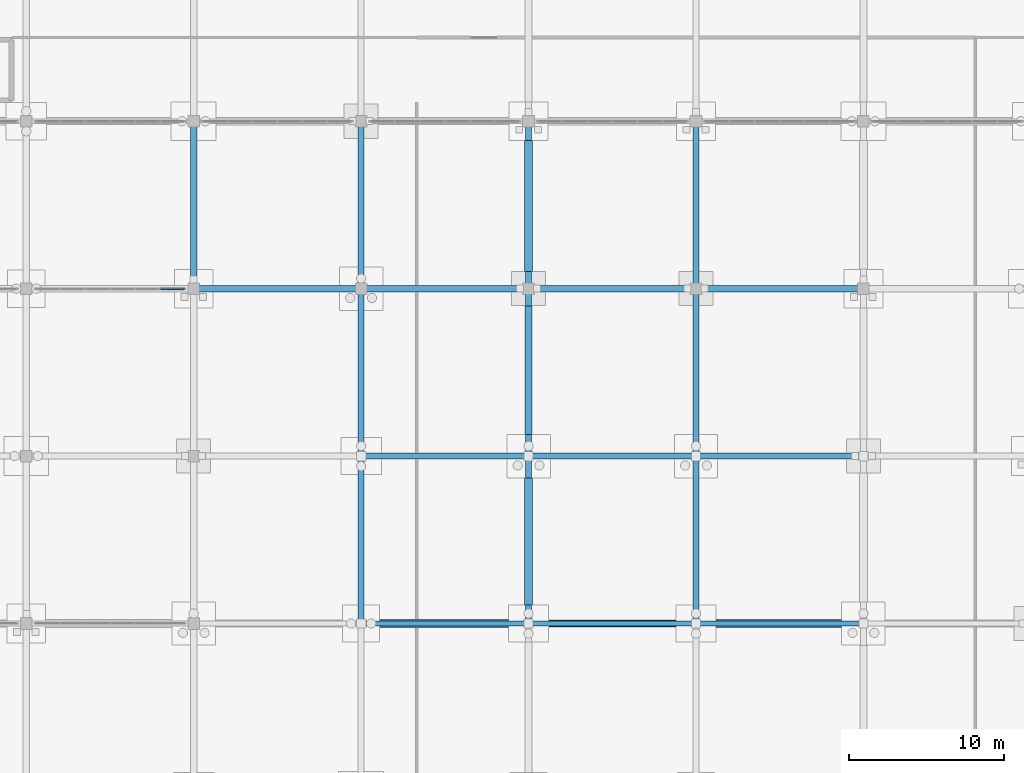
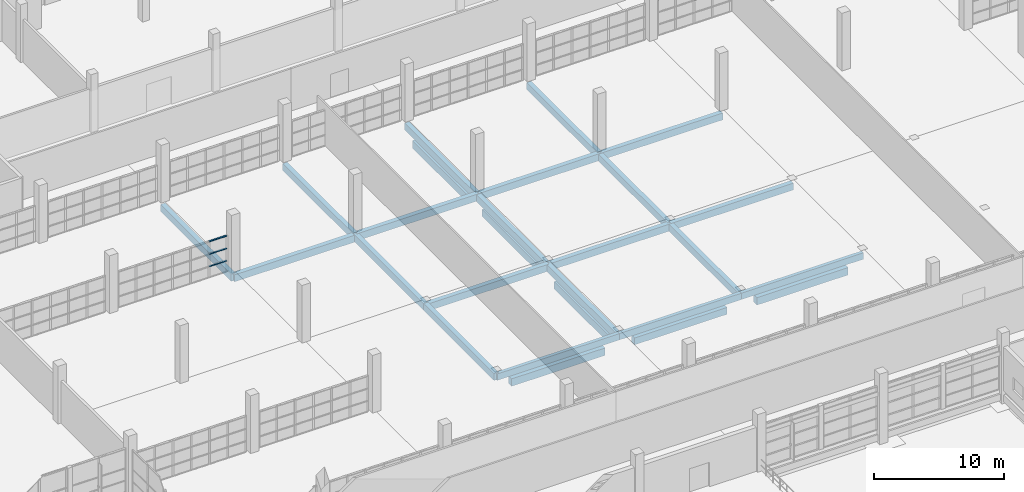
# One storey, part 52 of 138: 26 beams, 3 members, 1 element without a shape of its own.
"""IFC4 building model written with IfcOpenShell, lengths in metres."""

from ifc_helpers import new_model, si_unit, direction, frame, origin, origin_2d, place, context, subcontext, project, spatial, rectangle, extrude, material, material_profile, profile_set, type_object, element, aggregate, save


model = new_model("IFC4")

# Units and contexts
model_context = context("Model", 3, precision=1e-05, world=origin(), true_north=direction((0.0, 1.0)))
body_context = subcontext(model_context, "Body", "Model", "MODEL_VIEW")
ifc_project = project(units=[si_unit("LENGTHUNIT", "METRE"), si_unit("AREAUNIT", "SQUARE_METRE"), si_unit("VOLUMEUNIT", "CUBIC_METRE"), si_unit("PLANEANGLEUNIT", "RADIAN"), si_unit("MASSUNIT", "GRAM", prefix="KILO")], contexts=[model_context])

# Site, building, storey
site_placement = place(None, origin())
site = spatial("IfcSite", under=ifc_project, at=site_placement, CompositionType="ELEMENT")
building_placement = place(site_placement, origin())
building = spatial("IfcBuilding", under=site, at=building_placement, Name="Zwinboog Wholesale Market", CompositionType="ELEMENT")
storey_placement = place(building_placement, origin())
storey = spatial("IfcBuildingStorey", under=building, at=storey_placement, Name="L00", CompositionType="ELEMENT", Elevation=0.0)

# Beams
ifc_material_1 = material(Name="Precast concrete C45/55", Category="concrete")
ifc_material_profile_1 = material_profile(ifc_material_1, rectangle(XDim=0.39990234375, YDim=0.64990234375, at=origin_2d()), Name="PC 400x650")
ifc_profile_set_1 = profile_set([ifc_material_profile_1], Name="Precast concrete C45/55")
beam_type_1 = type_object("IfcBeamType", Name="BT-05", PredefinedType="BEAM", material=ifc_profile_set_1)
for number, where, z_axis, x_axis, name in (
    (1, (97.199951171875, 75.60009765625, -0.705078125), (1.0, 0.0, 0.0), (0.0, 1.0, 0.0), "BG-05 (BMG-L00-0972-0756-0108)"),
    (2, (108.0, 75.60009765625, -0.705078125), (1.0, 0.0, 0.0), (0.0, 1.0, 0.0), "BG-05 (BMG-L00-1080-0756-0109)"),
    (3, (118.800048828125, 75.60009765625, -0.705078125), (1.0, 0.0, 0.0), (0.0, 1.0, 0.0), "BG-05 (BMG-L00-1188-0756-0110)"),
    (4, (86.39990234375, 86.39990234375, -0.719970703125), (1.0, 0.0, 0.0), (0.0, 1.0, 0.0), "BG-05 (BMG-L00-0864-0864-0123)"),
    (5, (97.199951171875, 86.39990234375, -0.675048828125), (1.0, 0.0, 0.0), (0.0, 1.0, 0.0), "BG-05 (BMG-L00-0972-0864-0124)"),
    (6, (108.0, 86.39990234375, -0.675048828125), (1.0, 0.0, 0.0), (0.0, 1.0, 0.0), "BG-05 (BMG-L00-1080-0864-0125)"),
    (7, (118.800048828125, 86.39990234375, -0.68994140625), (1.0, 0.0, 0.0), (0.0, 1.0, 0.0), "BG-05 (BMG-L00-1188-0864-0126)"),
    (8, (86.39990234375, 86.39990234375, -0.719970703125), (0.0, 1.0, 0.0), (-1.0, 0.0, 0.0), "BG-05 (BMG-L00-0864-0864-0297)"),
    (9, (97.199951171875, 64.800048828125, -0.680908203125), (0.0, 1.0, 0.0), (-1.0, 0.0, 0.0), "BG-05 (BMG-L00-0972-0648-0303)"),
):
    element("IfcBeam", number, at=place(storey_placement, frame(where, z_axis=z_axis, x_axis=x_axis)), inside=storey, type_object=beam_type_1, Name=name, PredefinedType="BEAM", context=body_context, shape_type="SweptSolid", body=[
        extrude(rectangle(XDim=0.39990234375, YDim=0.64990234375, at=origin_2d()), origin(), (0.0, 0.0, 1.0), 10.800048828125),
    ])
beam_1_placement = place(storey_placement, frame((97.199951171875, 75.60009765625, -0.680908203125), z_axis=(0.0, 1.0, 0.0), x_axis=(-1.0, 0.0, 0.0)))
element("IfcBeam", 10, at=beam_1_placement, inside=storey, type_object=beam_type_1, Name="BG-05 (BMG-L00-0972-0756-0304)", PredefinedType="BEAM", context=body_context, shape_type="SweptSolid", body=[
    extrude(rectangle(XDim=0.39990234375, YDim=0.64990234375, at=origin_2d()), origin(), (0.0, 0.0, 1.0), 10.7998046875),
])
for number, where, z_axis, x_axis, name in (
    (11, (97.199951171875, 86.39990234375, -0.675048828125), (0.0, 1.0, 0.0), (-1.0, 0.0, 0.0), "BG-05 (BMG-L00-0972-0864-0305)"),
    (12, (108.0, 64.800048828125, -0.705078125), (0.0, 1.0, 0.0), (-1.0, 0.0, 0.0), "BG-05 (BMG-L00-1080-0648-0313)"),
):
    element("IfcBeam", number, at=place(storey_placement, frame(where, z_axis=z_axis, x_axis=x_axis)), inside=storey, type_object=beam_type_1, Name=name, PredefinedType="BEAM", context=body_context, shape_type="SweptSolid", body=[
        extrude(rectangle(XDim=0.39990234375, YDim=0.64990234375, at=origin_2d()), origin(), (0.0, 0.0, 1.0), 10.800048828125),
    ])
beam_2_placement = place(storey_placement, frame((108.0, 75.60009765625, -0.705078125), z_axis=(0.0, 1.0, 0.0), x_axis=(-1.0, 0.0, 0.0)))
element("IfcBeam", 13, at=beam_2_placement, inside=storey, type_object=beam_type_1, Name="BG-05 (BMG-L00-1080-0756-0314)", PredefinedType="BEAM", context=body_context, shape_type="SweptSolid", body=[
    extrude(rectangle(XDim=0.39990234375, YDim=0.64990234375, at=origin_2d()), origin(), (0.0, 0.0, 1.0), 10.7998046875),
])
for number, where, z_axis, x_axis, name in (
    (14, (108.0, 86.39990234375, -0.675048828125), (0.0, 1.0, 0.0), (-1.0, 0.0, 0.0), "BG-05 (BMG-L00-1080-0864-0315)"),
    (15, (118.800048828125, 64.800048828125, -0.705078125), (0.0, 1.0, 0.0), (-1.0, 0.0, 0.0), "BG-05 (BMG-L00-1188-0648-0323)"),
):
    element("IfcBeam", number, at=place(storey_placement, frame(where, z_axis=z_axis, x_axis=x_axis)), inside=storey, type_object=beam_type_1, Name=name, PredefinedType="BEAM", context=body_context, shape_type="SweptSolid", body=[
        extrude(rectangle(XDim=0.39990234375, YDim=0.64990234375, at=origin_2d()), origin(), (0.0, 0.0, 1.0), 10.800048828125),
    ])
beam_3_placement = place(storey_placement, frame((118.800048828125, 75.60009765625, -0.705078125), z_axis=(0.0, 1.0, 0.0), x_axis=(-1.0, 0.0, 0.0)))
element("IfcBeam", 16, at=beam_3_placement, inside=storey, type_object=beam_type_1, Name="BG-05 (BMG-L00-1188-0756-0324)", PredefinedType="BEAM", context=body_context, shape_type="SweptSolid", body=[
    extrude(rectangle(XDim=0.39990234375, YDim=0.64990234375, at=origin_2d()), origin(), (0.0, 0.0, 1.0), 10.7998046875),
])
beam_4_placement = place(storey_placement, frame((118.800048828125, 86.39990234375, -0.6669921875), z_axis=(0.0, 1.0, 0.0), x_axis=(-1.0, 0.0, 0.0)))
element("IfcBeam", 17, at=beam_4_placement, inside=storey, type_object=beam_type_1, Name="BG-05 (BMG-L00-1188-0864-0325)", PredefinedType="BEAM", context=body_context, shape_type="SweptSolid", body=[
    extrude(rectangle(XDim=0.39990234375, YDim=0.64990234375, at=origin_2d()), origin(), (0.0, 0.0, 1.0), 10.800048828125),
])
ifc_material_profile_2 = material_profile(ifc_material_1, rectangle(XDim=0.300048828125, YDim=0.60009765625, at=origin_2d()), Name="PC 300x600")
ifc_profile_set_2 = profile_set([ifc_material_profile_2], Name="Precast concrete C45/55")
beam_type_2 = type_object("IfcBeamType", Name="BT-09", PredefinedType="SPANDREL", material=ifc_profile_set_2)
for number, where, z_axis, x_axis, name in (
    (18, (97.199951171875, 64.800048828125, -0.679931640625), (1.0, 0.0, 0.0), (0.0, 1.0, 0.0), "SP-02 (BMG-L00-0972-0648-0092)"),
    (19, (108.0, 64.800048828125, -0.679931640625), (1.0, 0.0, 0.0), (0.0, 1.0, 0.0), "SP-02 (BMG-L00-1080-0648-0093)"),
    (20, (118.800048828125, 64.800048828125, -0.679931640625), (1.0, 0.0, 0.0), (0.0, 1.0, 0.0), "SP-02 (BMG-L00-1188-0648-0094)"),
):
    element("IfcBeam", number, at=place(storey_placement, frame(where, z_axis=z_axis, x_axis=x_axis)), inside=storey, type_object=beam_type_2, Name=name, PredefinedType="SPANDREL", context=body_context, shape_type="SweptSolid", body=[
        extrude(rectangle(XDim=0.300048828125, YDim=0.60009765625, at=origin_2d()), origin(), (0.0, 0.0, 1.0), 10.800048828125),
    ])
ifc_material_2 = material(Name="Concrete C35/45", Category="concrete")
ifc_material_profile_3 = material_profile(ifc_material_2, rectangle(XDim=0.5, YDim=0.699951171875, at=origin_2d()), Name="RC 500x700")
ifc_profile_set_3 = profile_set([ifc_material_profile_3], Name="Concrete C35/45")
beam_type_3 = type_object("IfcBeamType", Name="BT-12", PredefinedType="USERDEFINED", material=ifc_profile_set_3)
beam_5_placement = place(storey_placement, frame((98.405029296875, 64.800048828125, -1.550048828125), z_axis=(1.0, 0.0, 0.0), x_axis=(0.0, 1.0, 0.0)))
element("IfcBeam", 21, at=beam_5_placement, inside=storey, type_object=beam_type_3, Name="GB-01 (BM-GB-0059)", ObjectType="GROUND_BEAM", PredefinedType="USERDEFINED", context=body_context, shape_type="SweptSolid", body=[
    extrude(rectangle(XDim=0.5, YDim=0.699951171875, at=origin_2d()), origin(), (0.0, 0.0, 1.0), 8.2900390625),
])
beam_6_placement = place(storey_placement, frame((120.10498046875, 64.800048828125, -1.550048828125), z_axis=(1.0, 0.0, 0.0), x_axis=(0.0, 1.0, 0.0)))
element("IfcBeam", 22, at=beam_6_placement, inside=storey, type_object=beam_type_3, Name="GB-01 (BM-GB-0061)", ObjectType="GROUND_BEAM", PredefinedType="USERDEFINED", context=body_context, shape_type="SweptSolid", body=[
    extrude(rectangle(XDim=0.5, YDim=0.699951171875, at=origin_2d()), origin(), (0.0, 0.0, 1.0), 8.090087890625),
])
beam_7_placement = place(storey_placement, frame((108.0, 66.0048828125, -1.550048828125), z_axis=(0.0, 1.0, 0.0), x_axis=(-1.0, 0.0, 0.0)))
element("IfcBeam", 23, at=beam_7_placement, inside=storey, type_object=beam_type_3, Name="GB-01 (BM-GB-0166)", ObjectType="GROUND_BEAM", PredefinedType="USERDEFINED", context=body_context, shape_type="SweptSolid", body=[
    extrude(rectangle(XDim=0.5, YDim=0.699951171875, at=origin_2d()), origin(), (0.0, 0.0, 1.0), 8.190185546875),
])
beam_8_placement = place(storey_placement, frame((108.0, 87.5048828125, -1.550048828125), z_axis=(0.0, 1.0, 0.0), x_axis=(-1.0, 0.0, 0.0)))
element("IfcBeam", 24, at=beam_8_placement, inside=storey, type_object=beam_type_3, Name="GB-01 (BM-GB-0168)", ObjectType="GROUND_BEAM", PredefinedType="USERDEFINED", context=body_context, shape_type="SweptSolid", body=[
    extrude(rectangle(XDim=0.5, YDim=0.699951171875, at=origin_2d()), origin(), (0.0, 0.0, 1.0), 8.440185546875),
])
ifc_material_profile_4 = material_profile(ifc_material_2, rectangle(XDim=0.449951171875, YDim=0.64990234375, at=origin_2d()), Name="RC 450x650")
ifc_profile_set_4 = profile_set([ifc_material_profile_4], Name="Concrete C35/45")
beam_type_4 = type_object("IfcBeamType", Name="BT-13", PredefinedType="USERDEFINED", material=ifc_profile_set_4)
beam_9_placement = place(storey_placement, frame((109.304931640625, 64.800048828125, -1.52490234375), z_axis=(1.0, 0.0, 0.0), x_axis=(0.0, 1.0, 0.0)))
element("IfcBeam", 25, at=beam_9_placement, inside=storey, type_object=beam_type_4, Name="GB-02 (BM-GB-0060)", ObjectType="GROUND_BEAM", PredefinedType="USERDEFINED", context=body_context, shape_type="SweptSolid", body=[
    extrude(rectangle(XDim=0.449951171875, YDim=0.64990234375, at=origin_2d()), origin(), (0.0, 0.0, 1.0), 8.190185546875),
])
beam_10_placement = place(storey_placement, frame((108.0, 77.0048828125, -1.52490234375), z_axis=(0.0, 1.0, 0.0), x_axis=(-1.0, 0.0, 0.0)))
element("IfcBeam", 26, at=beam_10_placement, inside=storey, type_object=beam_type_4, Name="GB-02 (BM-GB-0167)", ObjectType="GROUND_BEAM", PredefinedType="USERDEFINED", context=body_context, shape_type="SweptSolid", body=[
    extrude(rectangle(XDim=0.449951171875, YDim=0.64990234375, at=origin_2d()), origin(), (0.0, 0.0, 1.0), 8.2900390625),
])

# Curtain wall, members
ifc_material_3 = material(Name="Aluminium thermally broken curtain wall", Category="aluminium")
curtain_wall_type = type_object("IfcCurtainWallType", Name="CWT-INT-STALL", PredefinedType="USERDEFINED", material=ifc_material_3)
curtain_wall_placement = place(storey_placement, origin())
curtain_wall = element("IfcCurtainWall", 27, at=curtain_wall_placement, inside=storey, type_object=curtain_wall_type, Name="CW-07 (CW-STL-196)", ObjectType="STOREFRONT_GLAZING", PredefinedType="USERDEFINED")
ifc_material_4 = material(Name="Aluminium EN AW-6060", Category="aluminium")
ifc_material_profile_5 = material_profile(ifc_material_4, rectangle(XDim=0.110107421875, YDim=0.06005859375, at=origin_2d()), Name="AL 60x110")
ifc_profile_set_5 = profile_set([ifc_material_profile_5], Name="Aluminium EN AW-6060")
member_type = type_object("IfcMemberType", Name="CWT-INT-60x100", PredefinedType="USERDEFINED", material=ifc_profile_set_5)
member_1_placement = place(storey_placement, frame((84.263427734375, 86.39990234375, 1.050048828125), z_axis=(1.0, 0.0, 0.0), x_axis=(0.0, 1.0, 0.0)))
member_1 = element("IfcMember", 28, at=member_1_placement, type_object=member_type, Name="CW-07 transom 6.2", ObjectType="TRANSOM", PredefinedType="USERDEFINED", context=body_context, shape_type="SweptSolid", body=[
    extrude(rectangle(XDim=0.110107421875, YDim=0.06005859375, at=origin_2d()), origin(), (0.0, 0.0, 1.0), 1.526611328125),
])
member_2_placement = place(storey_placement, frame((84.263427734375, 86.39990234375, 2.199951171875), z_axis=(1.0, 0.0, 0.0), x_axis=(0.0, 1.0, 0.0)))
member_2 = element("IfcMember", 29, at=member_2_placement, type_object=member_type, Name="CW-07 transom 6.3", ObjectType="TRANSOM", PredefinedType="USERDEFINED", context=body_context, shape_type="SweptSolid", body=[
    extrude(rectangle(XDim=0.110107421875, YDim=0.06005859375, at=origin_2d()), origin(), (0.0, 0.0, 1.0), 1.526611328125),
])
member_3_placement = place(storey_placement, frame((84.263427734375, 86.39990234375, 3.3701171875), z_axis=(1.0, 0.0, 0.0), x_axis=(0.0, 1.0, 0.0)))
member_3 = element("IfcMember", 30, at=member_3_placement, type_object=member_type, Name="CW-07 transom 6.4", ObjectType="TRANSOM", PredefinedType="USERDEFINED", context=body_context, shape_type="SweptSolid", body=[
    extrude(rectangle(XDim=0.110107421875, YDim=0.06005859375, at=origin_2d()), origin(), (0.0, 0.0, 1.0), 1.526611328125),
])
aggregate(curtain_wall, [member_1, member_2, member_3])

save(model, "model.ifc")
